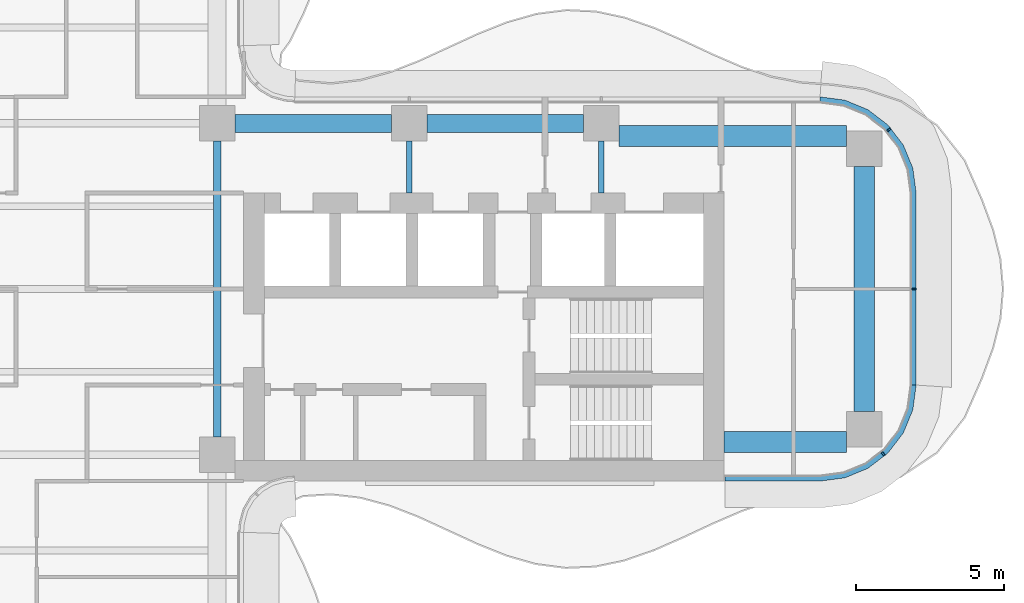
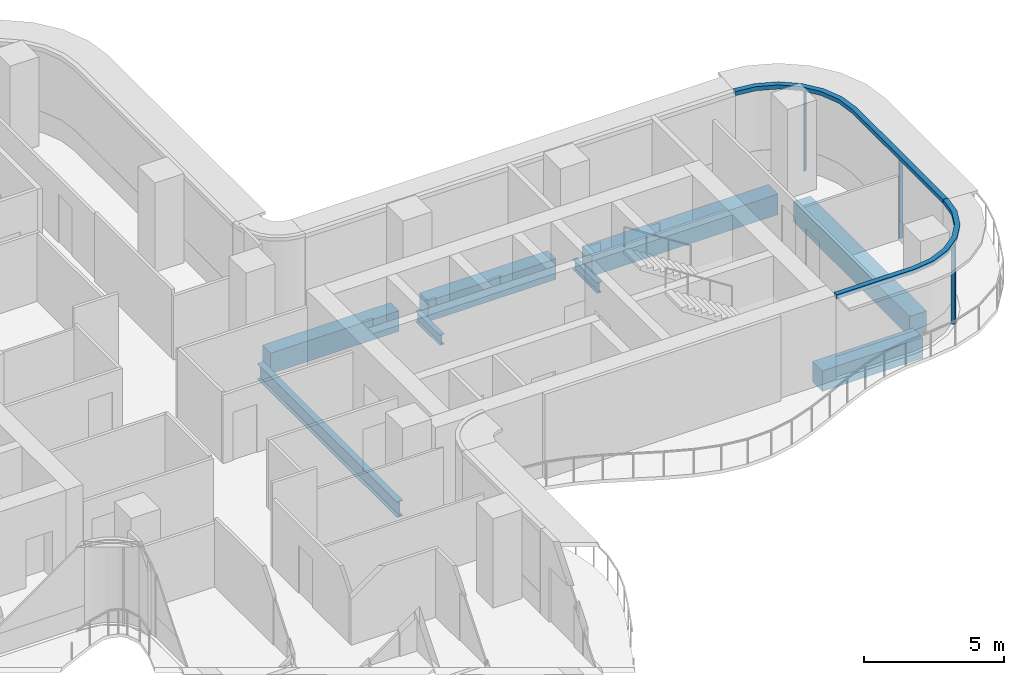
# One storey, part 6 of 17: 8 beams, 5 members, 2 elements without a shape of their own.
"""IFC4 building model written with IfcOpenShell, lengths in metres."""

import ifcopenshell
import ifcopenshell.guid

model = None  # the IFC model being written
_history = None  # IfcOwnerHistory: only IFC2X3 demands one
_inside = {}  # id of a spatial element -> (the spatial element, [elements in it])
_under = {}  # id of a project, library or spatial element -> (it, [spatial elements below it])
_declared = {}  # id of a project -> (the project, [libraries it declares])
_typed = {}  # id of a type object -> (the type object, [elements of that type])
_made_of = {}  # id of a material, layer set ... -> (it, [elements and type objects made of it])


def new_model(schema):
    """Start an empty IFC model of exactly this schema.

    Asked for "IFC4X3", IfcOpenShell would pick the latest addendum, in which some entities
    have other attributes; the version numbers below select the first issue.
    IFC2X3 requires an IfcOwnerHistory on every rooted entity: one is made here for all.
    """
    global model, _history
    if schema == "IFC4X3":
        model = ifcopenshell.file(schema_version=(4, 3, 0, 0))
    else:
        model = ifcopenshell.file(schema=schema)
    _inside.clear()
    _under.clear()
    _declared.clear()
    _typed.clear()
    _made_of.clear()
    _history = None
    if model.schema == "IFC2X3":
        org = make("IfcOrganization", Name="unknown")
        user = make(
            "IfcPersonAndOrganization",
            ThePerson=make("IfcPerson", FamilyName="unknown"),
            TheOrganization=org,
        )
        app = make(
            "IfcApplication",
            ApplicationDeveloper=org,
            Version="unknown",
            ApplicationFullName="unknown",
            ApplicationIdentifier="unknown",
        )
        _history = make(
            "IfcOwnerHistory",
            OwningUser=user,
            OwningApplication=app,
            ChangeAction="ADDED",
            CreationDate=0,
        )
    return model


def make(cls, **values):
    """One entity of the class cls with the attributes given. An attribute that is None is left unset."""
    return model.create_entity(
        cls, **{name: value for name, value in values.items() if value is not None}
    )


def rooted(cls, **values):
    """An entity with a GlobalId (a new one), such as an element, a storey or a relation."""
    return make(cls, GlobalId=ifcopenshell.guid.new(), OwnerHistory=_history, **values)


def si_unit(unit_type, name, prefix=None):
    """IfcSIUnit, for example si_unit("LENGTHUNIT", "METRE", prefix="MILLI")."""
    return make("IfcSIUnit", UnitType=unit_type, Prefix=prefix, Name=name)


def assignment(units):
    """IfcUnitAssignment: the units of a project."""
    return None if units is None else make("IfcUnitAssignment", Units=units)


def point(xyz):
    """IfcCartesianPoint."""
    return None if xyz is None else make("IfcCartesianPoint", Coordinates=xyz)


def direction(xyz):
    """IfcDirection."""
    return None if xyz is None else make("IfcDirection", DirectionRatios=xyz)


def frame(location, z_axis=None, x_axis=None):
    """IfcAxis2Placement3D, a coordinate frame: its origin and axes. An axis left out is left unset."""
    return make(
        "IfcAxis2Placement3D",
        Location=point(location),
        Axis=direction(z_axis),
        RefDirection=direction(x_axis),
    )


def frame_2d(location, x_axis=None):
    """IfcAxis2Placement2D, a coordinate frame in the plane: its origin and x axis."""
    return make(
        "IfcAxis2Placement2D", Location=point(location), RefDirection=direction(x_axis)
    )


def origin():
    """The frame at (0, 0, 0) with its axes left unset."""
    return frame((0.0, 0.0, 0.0))


def origin_2d():
    """The frame at (0, 0) in the plane with its x axis left unset."""
    return frame_2d((0.0, 0.0))


def place(relative_to, where):
    """IfcLocalPlacement: puts the frame where relative to a parent placement (None: the world)."""
    return make(
        "IfcLocalPlacement", PlacementRelTo=relative_to, RelativePlacement=where
    )


def context(
    kind, dimensions, precision=None, world=None, true_north=None, identifier=None
):
    """IfcGeometricRepresentationContext, for example the 3D "Model" context."""
    return make(
        "IfcGeometricRepresentationContext",
        ContextIdentifier=identifier,
        ContextType=kind,
        CoordinateSpaceDimension=dimensions,
        Precision=precision,
        WorldCoordinateSystem=world,
        TrueNorth=true_north,
    )


def subcontext(parent, identifier, kind, view, scale=None):
    """IfcGeometricRepresentationSubContext, for example "Body" below "Model"."""
    return make(
        "IfcGeometricRepresentationSubContext",
        ContextIdentifier=identifier,
        ContextType=kind,
        ParentContext=parent,
        TargetScale=scale,
        TargetView=view,
    )


def project(units=None, contexts=None):
    """IfcProject with its units and contexts."""
    return rooted(
        "IfcProject",
        Name="project",
        RepresentationContexts=contexts,
        UnitsInContext=assignment(units),
    )


def spatial(cls, under=None, at=None, **own):
    """A site, building, storey or space (cls), placed at a placement, below another one or the project."""
    s = rooted(cls, ObjectPlacement=at, **own)
    if under is not None:
        _under.setdefault(under.id(), (under, []))[1].append(s)
    return s


def polyline(points):
    """IfcPolyline through the points."""
    return make("IfcPolyline", Points=[point(p) for p in points])


def profile(cls, at=None, kind="AREA", **sizes):
    """A parametric profile (cls). Its sizes go by their IFC names, for example OverallWidth=200.0."""
    return make(cls, ProfileType=kind, Position=at, **sizes)


def rectangle(**sizes):
    """IfcRectangleProfileDef."""
    return profile("IfcRectangleProfileDef", **sizes)


def i_section(**sizes):
    """IfcIShapeProfileDef."""
    return profile("IfcIShapeProfileDef", **sizes)


def outline(outer, holes=None, kind="AREA"):
    """IfcArbitraryClosedProfileDef: a profile drawn as a closed curve; with holes, ...WithVoids."""
    if holes is None:
        return make("IfcArbitraryClosedProfileDef", ProfileType=kind, OuterCurve=outer)
    return make(
        "IfcArbitraryProfileDefWithVoids",
        ProfileType=kind,
        OuterCurve=outer,
        InnerCurves=holes,
    )


def extrude(swept, where, along, depth):
    """IfcExtrudedAreaSolid: the profile swept, set in the frame where, extruded along a direction by depth."""
    return make(
        "IfcExtrudedAreaSolid",
        SweptArea=swept,
        Position=where,
        ExtrudedDirection=direction(along),
        Depth=depth,
    )


def shape(context_of_items, identifier, shape_type, items):
    """IfcShapeRepresentation: the items that make up one representation, for example the "Body"."""
    return make(
        "IfcShapeRepresentation",
        ContextOfItems=context_of_items,
        RepresentationIdentifier=identifier,
        RepresentationType=shape_type,
        Items=items,
    )


def source(mapping_origin, context_of_items, identifier, shape_type, items):
    """IfcRepresentationMap: a shape defined once, which mapped items show again and again."""
    return make(
        "IfcRepresentationMap",
        MappingOrigin=mapping_origin,
        MappedRepresentation=shape(context_of_items, identifier, shape_type, items),
    )


def transform(
    local_origin,
    x_axis=None,
    y_axis=None,
    z_axis=None,
    scale=None,
    scale2=None,
    scale3=None,
    uniform=True,
):
    """IfcCartesianTransformationOperator3D, or its non-uniform kind. x_axis, y_axis, z_axis: its Axis1, 2, 3."""
    if uniform:
        return make(
            "IfcCartesianTransformationOperator3D",
            Axis1=direction(x_axis),
            Axis2=direction(y_axis),
            LocalOrigin=point(local_origin),
            Scale=scale,
            Axis3=direction(z_axis),
        )
    return make(
        "IfcCartesianTransformationOperator3DnonUniform",
        Axis1=direction(x_axis),
        Axis2=direction(y_axis),
        LocalOrigin=point(local_origin),
        Scale=scale,
        Axis3=direction(z_axis),
        Scale2=scale2,
        Scale3=scale3,
    )


def mapped(mapping_source, mapping_target):
    """IfcMappedItem: shows the shape of a source again, moved by a transform."""
    return make(
        "IfcMappedItem", MappingSource=mapping_source, MappingTarget=mapping_target
    )


def material(Name=None, Category=None):
    """IfcMaterial."""
    return make("IfcMaterial", Name=Name, Category=Category)


def layer(
    of_material, thickness, ventilated=None, Name=None, Category=None, Priority=None
):
    """IfcMaterialLayer: one layer of a wall or slab, of a material (None: an air gap)."""
    return make(
        "IfcMaterialLayer",
        Material=of_material,
        LayerThickness=thickness,
        IsVentilated=ventilated,
        Name=Name,
        Category=Category,
        Priority=Priority,
    )


def layer_set(layers, Name=None):
    """IfcMaterialLayerSet."""
    return make("IfcMaterialLayerSet", MaterialLayers=layers, LayerSetName=Name)


def material_profile(
    of_material, cross_section, Name=None, Category=None, Priority=None
):
    """IfcMaterialProfile: a cross section and its material."""
    return make(
        "IfcMaterialProfile",
        Name=Name,
        Material=of_material,
        Profile=cross_section,
        Priority=Priority,
        Category=Category,
    )


def profile_set(profiles, Name=None, composite=None):
    """IfcMaterialProfileSet."""
    return make(
        "IfcMaterialProfileSet",
        Name=Name,
        MaterialProfiles=profiles,
        CompositeProfile=composite,
    )


def made_of(thing, what):
    """Note that an element or type object is made of a material, layer set ...; save() writes the relation."""
    if what is not None:
        _made_of.setdefault(what.id(), (what, []))[1].append(thing)
    return thing


def type_object(cls, material=None, **own):
    """A type object (cls), such as IfcWallType, which elements share."""
    return made_of(rooted(cls, **own), material)


def element(
    cls,
    number,
    at=None,
    inside=None,
    cuts=None,
    type_object=None,
    material=None,
    context=None,
    identifier="Body",
    shape_type=None,
    held_by="IfcProductDefinitionShape",
    body=None,
    shapes=None,
    **own,
):
    """One element of the class cls, such as IfcWall. Its Tag is "e" and its number.

    at: its placement. inside: the storey or other place that contains it. cuts: it is an
    opening in that element (IfcRelVoidsElement). A single representation is given by context,
    identifier, shape_type and body (its items); several are given by shapes. held_by: the class
    of the entity that holds the representations. save() writes the other relations.
    """
    e = rooted(cls, Tag="e%d" % number, ObjectPlacement=at, **own)
    if body is not None:
        shapes = [shape(context, identifier, shape_type, body)]
    if shapes is not None:
        e.Representation = make(held_by, Representations=shapes)
    if inside is not None:
        _inside.setdefault(inside.id(), (inside, []))[1].append(e)
    if cuts is not None:
        rooted(
            "IfcRelVoidsElement", RelatingBuildingElement=cuts, RelatedOpeningElement=e
        )
    if type_object is not None:
        _typed.setdefault(type_object.id(), (type_object, []))[1].append(e)
    return made_of(e, material)


def aggregate(whole, parts):
    """IfcRelAggregates: a whole, such as a stair, and the parts it consists of."""
    return rooted("IfcRelAggregates", RelatingObject=whole, RelatedObjects=parts)


def save(model, path):
    """Write the relations noted so far, then the file.

    IfcRelAggregates (storeys below a building ...), IfcRelContainedInSpatialStructure (elements
    in a storey), IfcRelDefinesByType, IfcRelAssociatesMaterial and IfcRelDeclares: one each for
    every whole, place, type object, material and project.
    """
    for whole, parts in _under.values():
        aggregate(whole, parts)
    for where, things in _inside.values():
        rooted(
            "IfcRelContainedInSpatialStructure",
            RelatedElements=things,
            RelatingStructure=where,
        )
    for kind, things in _typed.values():
        rooted("IfcRelDefinesByType", RelatedObjects=things, RelatingType=kind)
    for what, things in _made_of.values():
        rooted("IfcRelAssociatesMaterial", RelatedObjects=things, RelatingMaterial=what)
    for by, libraries in _declared.values():
        rooted("IfcRelDeclares", RelatingContext=by, RelatedDefinitions=libraries)
    model.write(path)


model = new_model("IFC4")

# Units and contexts
model_context = context("Model", 3, precision=1e-05, world=origin(), true_north=direction((0.0, 1.0)))
body_context = subcontext(model_context, "Body", "Model", "MODEL_VIEW")
ifc_project = project(units=[si_unit("LENGTHUNIT", "METRE"), si_unit("AREAUNIT", "SQUARE_METRE"), si_unit("VOLUMEUNIT", "CUBIC_METRE"), si_unit("PLANEANGLEUNIT", "RADIAN"), si_unit("MASSUNIT", "GRAM", prefix="KILO")], contexts=[model_context])

# Site, building, storey
site_placement = place(None, origin())
site = spatial("IfcSite", under=ifc_project, at=site_placement, CompositionType="ELEMENT")
building_placement = place(site_placement, origin())
building = spatial("IfcBuilding", under=site, at=building_placement, Name="Trellis Farm Tower", CompositionType="ELEMENT")
storey_placement = place(building_placement, frame((0.0, 0.0, 185.39990234375)))
storey = spatial("IfcBuildingStorey", under=building, at=storey_placement, Name="L40", CompositionType="ELEMENT", Elevation=185.39990234375)

# Beams
ifc_material_1 = material(Name="Concrete C60/75", Category="concrete")
ifc_material_profile_1 = material_profile(ifc_material_1, rectangle(XDim=0.60009765625, YDim=0.89990234375, at=origin_2d()), Name="RC spandrel beam 600x900 C60/75")
ifc_profile_set_1 = profile_set([ifc_material_profile_1], Name="Concrete C60/75")
beam_type_1 = type_object("IfcBeamType", Name="RC spandrel beam 600x900 C60/75", PredefinedType="SPANDREL", material=ifc_profile_set_1)
shared_shape_1 = source(origin(), body_context, "Body", "SweptSolid", [
    extrude(rectangle(XDim=0.60009765625, YDim=0.89990234375, at=origin_2d()), origin(), (0.0, 0.0, 1.0), 5.300048828125),
])
for number, where, z_axis, x_axis, name in (
    (1, (6.199951171875, 5.60009765625, -0.64990234375), (1.0, 0.0, 0.0), (0.0, 1.0, 0.0), "Girder"),
    (2, (12.699951171875, 5.60009765625, -0.64990234375), (1.0, 0.0, 0.0), (0.0, 1.0, 0.0), "Girder"),
):
    element("IfcBeam", number, at=place(storey_placement, frame(where, z_axis=z_axis, x_axis=x_axis)), inside=storey, type_object=beam_type_1, Name=name, PredefinedType="SPANDREL", context=body_context, shape_type="MappedRepresentation", body=[
        mapped(shared_shape_1, transform((0.0, 0.0, 0.0))),
    ])
ifc_material_2 = material(Name="Steel S355", Category="steel")
ifc_material_profile_2 = material_profile(ifc_material_2, i_section(OverallWidth=0.253662109375, OverallDepth=0.68359375, WebThickness=0.012451171875, FlangeThickness=0.021728515625, FilletRadius=0.01513671875, at=origin_2d()), Name="UB 686x254x140")
ifc_profile_set_2 = profile_set([ifc_material_profile_2], Name="Steel S355")
beam_type_2 = type_object("IfcBeamType", Name="UB 686x254x140", PredefinedType="BEAM", material=ifc_profile_set_2)
shared_shape_2 = source(origin(), body_context, "Body", "SweptSolid", [
    extrude(i_section(OverallWidth=0.253662109375, OverallDepth=0.68359375, WebThickness=0.012451171875, FlangeThickness=0.021728515625, FilletRadius=0.01513671875, at=origin_2d()), origin(), (0.0, 0.0, 1.0), 10.0),
])
beam_1_placement = place(storey_placement, frame((5.60009765625, -5.0, -0.54150390625), z_axis=(0.0, 1.0, 0.0), x_axis=(-1.0, 0.0, 0.0)))
element("IfcBeam", 3, at=beam_1_placement, inside=storey, type_object=beam_type_2, Name="Girder", PredefinedType="BEAM", context=body_context, shape_type="MappedRepresentation", body=[
    mapped(shared_shape_2, transform((0.0, 0.0, 0.0))),
])
ifc_material_profile_3 = material_profile(ifc_material_1, rectangle(XDim=0.699951171875, YDim=0.89990234375, at=origin_2d()), Name="RC spandrel beam 700x900 C60/75")
ifc_profile_set_3 = profile_set([ifc_material_profile_3], Name="Concrete C60/75")
beam_type_3 = type_object("IfcBeamType", Name="RC spandrel beam 700x900 C60/75", PredefinedType="SPANDREL", material=ifc_profile_set_3)
shared_shape_3 = source(origin(), body_context, "Body", "SweptSolid", [
    extrude(rectangle(XDim=0.699951171875, YDim=0.89990234375, at=origin_2d()), origin(), (0.0, 0.0, 1.0), 8.2998046875),
])
beam_2_placement = place(storey_placement, frame((27.5, -4.14990234375, -0.64990234375), z_axis=(0.0, 1.0, 0.0), x_axis=(-1.0, 0.0, 0.0)))
element("IfcBeam", 4, at=beam_2_placement, inside=storey, type_object=beam_type_3, Name="Girder", PredefinedType="SPANDREL", context=body_context, shape_type="MappedRepresentation", body=[
    mapped(shared_shape_3, transform((0.0, 0.0, 0.0))),
])
ifc_material_profile_4 = material_profile(ifc_material_2, i_section(OverallWidth=0.1904296875, OverallDepth=0.45703125, WebThickness=0.009033203125, FlangeThickness=0.014404296875, FilletRadius=0.01025390625, at=origin_2d()), Name="UB 457x191x74")
ifc_profile_set_4 = profile_set([ifc_material_profile_4], Name="Steel S355")
beam_type_4 = type_object("IfcBeamType", Name="UB 457x191x74", PredefinedType="BEAM", material=ifc_profile_set_4)
shared_shape_4 = source(origin(), body_context, "Body", "SweptSolid", [
    extrude(i_section(OverallWidth=0.1904296875, OverallDepth=0.45703125, WebThickness=0.009033203125, FlangeThickness=0.014404296875, FilletRadius=0.01025390625, at=origin_2d()), origin(), (0.0, 0.0, 1.0), 1.75),
])
for number, where, z_axis, x_axis, name in (
    (5, (12.10009765625, 3.25, -0.428466796875), (0.0, 1.0, 0.0), (-1.0, 0.0, 0.0), "Girder"),
    (6, (18.60009765625, 3.25, -0.428466796875), (0.0, 1.0, 0.0), (-1.0, 0.0, 0.0), "Girder"),
):
    element("IfcBeam", number, at=place(storey_placement, frame(where, z_axis=z_axis, x_axis=x_axis)), inside=storey, type_object=beam_type_4, Name=name, PredefinedType="BEAM", context=body_context, shape_type="MappedRepresentation", body=[
        mapped(shared_shape_4, transform((0.0, 0.0, 0.0))),
    ])
shared_shape_5 = source(origin(), body_context, "Body", "SweptSolid", [
    extrude(rectangle(XDim=0.699951171875, YDim=0.89990234375, at=origin_2d()), origin(), (0.0, 0.0, 1.0), 7.699951171875),
])
beam_3_placement = place(storey_placement, frame((19.199951171875, 5.175048828125, -0.64990234375), z_axis=(1.0, 0.0, 0.0), x_axis=(0.0, 1.0, 0.0)))
element("IfcBeam", 7, at=beam_3_placement, inside=storey, type_object=beam_type_3, Name="Girder", PredefinedType="SPANDREL", context=body_context, shape_type="MappedRepresentation", body=[
    mapped(shared_shape_5, transform((0.0, 0.0, 0.0))),
])
shared_shape_6 = source(origin(), body_context, "Body", "SweptSolid", [
    extrude(rectangle(XDim=0.699951171875, YDim=0.89990234375, at=origin_2d()), origin(), (0.0, 0.0, 1.0), 4.14990234375),
])
beam_4_placement = place(storey_placement, frame((22.75, -5.175048828125, -0.64990234375), z_axis=(1.0, 0.0, 0.0), x_axis=(0.0, 1.0, 0.0)))
element("IfcBeam", 8, at=beam_4_placement, inside=storey, type_object=beam_type_3, Name="Girder", PredefinedType="SPANDREL", context=body_context, shape_type="MappedRepresentation", body=[
    mapped(shared_shape_6, transform((0.0, 0.0, 0.0))),
])

# Curtain wall, member
ifc_material_3 = material(Name="Aluminium and glass curtain wall", Category="aluminium")
ifc_layer_1 = layer(ifc_material_3, 0.18994140625)
ifc_layer_set_1 = layer_set([ifc_layer_1], Name="RIBBON CURTAIN WALL CW1")
curtain_wall_type = type_object("IfcCurtainWallType", Name="RIBBON CURTAIN WALL CW1", PredefinedType="NOTDEFINED", material=ifc_layer_set_1)
placement_1 = place(storey_placement, origin())
curtain_wall_1 = element("IfcCurtainWall", 9, at=placement_1, inside=storey, type_object=curtain_wall_type, Name="CW1 006", PredefinedType="NOTDEFINED")
ifc_material_4 = material(Name="Aluminium extrusion 6063-T6", Category="aluminium")
ifc_material_profile_5 = material_profile(ifc_material_4, rectangle(XDim=0.06005859375, YDim=0.14990234375, at=origin_2d()), Name="MULLION 60x150")
ifc_profile_set_5 = profile_set([ifc_material_profile_5], Name="Aluminium extrusion 6063-T6")
member_type_1 = type_object("IfcMemberType", Name="CW1 MULLION 60x150", PredefinedType="MULLION", material=ifc_profile_set_5)
shared_shape_7 = source(origin(), body_context, "Body", "SweptSolid", [
    extrude(rectangle(XDim=0.06005859375, YDim=0.14990234375, at=origin_2d()), origin(), (0.0, 0.0, 1.0), 3.52001953125),
])
member_1_placement = place(storey_placement, frame((28.135498046875, -5.578369140625, 0.0), z_axis=(0.0, 0.0, 1.0), x_axis=(0.793353340291, 0.608761429009, 0.0)))
member_1 = element("IfcMember", 10, at=member_1_placement, type_object=member_type_1, Name="MU1 006-01", PredefinedType="MULLION", context=body_context, shape_type="MappedRepresentation", body=[
    mapped(shared_shape_7, transform((0.0, 0.0, 0.0))),
])

# Curtain wall, members
curtain_wall_2 = element("IfcCurtainWall", 11, at=placement_1, inside=storey, type_object=curtain_wall_type, Name="CW1 007", PredefinedType="NOTDEFINED")
member_2_placement = place(storey_placement, frame((29.175048828125, 0.0, 0.0), z_axis=(0.0, 0.0, 1.0), x_axis=(0.0, 1.0, 0.0)))
member_2 = element("IfcMember", 12, at=member_2_placement, type_object=member_type_1, Name="MU1 007-01", PredefinedType="MULLION", context=body_context, shape_type="MappedRepresentation", body=[
    mapped(shared_shape_7, transform((0.0, 0.0, 0.0))),
])
member_3_placement = place(storey_placement, frame((28.328369140625, 5.385498046875, 0.0), z_axis=(0.0, 0.0, 1.0), x_axis=(-0.608761429009, 0.793353340291, 0.0)))
member_3 = element("IfcMember", 13, at=member_3_placement, type_object=member_type_1, Name="MU1 007-02", PredefinedType="MULLION", context=body_context, shape_type="MappedRepresentation", body=[
    mapped(shared_shape_7, transform((0.0, 0.0, 0.0))),
])

# Member
ifc_layer_2 = layer(ifc_material_4, 0.199951171875)
ifc_layer_set_2 = layer_set([ifc_layer_2], Name="Aluminium extrusion 6063-T6")
member_type_2 = type_object("IfcMemberType", Name="CW1 TRANSOM 200x180", PredefinedType="USERDEFINED", material=ifc_layer_set_2)
shared_shape_8 = source(origin(), body_context, "Body", "SweptSolid", [
    extrude(outline(polyline([(22.780029296875, -6.5), (26.0, -6.5), (26.841064453125, -6.38916015625), (27.625, -6.064697265625), (28.298095703125, -5.548095703125), (28.814697265625, -4.875), (29.13916015625, -4.091064453125), (29.25, -3.25), (29.050048828125, -3.23681640625), (28.9443359375, -4.0390625), (28.639892578125, -4.774169921875), (28.155517578125, -5.405517578125), (27.524169921875, -5.889892578125), (26.7890625, -6.1943359375), (25.98681640625, -6.300048828125), (22.780029296875, -6.300048828125), (22.780029296875, -6.5)])), origin(), (0.0, 0.0, 1.0), 0.18017578125),
])
placement_2 = place(storey_placement, frame((0.0, 0.0, 3.52001953125)))
member_4 = element("IfcMember", 14, at=placement_2, type_object=member_type_2, Name="TR1 006", ObjectType="TRANSOM", PredefinedType="USERDEFINED", context=body_context, shape_type="MappedRepresentation", body=[
    mapped(shared_shape_8, transform((0.0, 0.0, 0.0))),
])

aggregate(curtain_wall_1, [member_1, member_4])

shared_shape_9 = source(origin(), body_context, "Body", "SweptSolid", [
    extrude(outline(polyline([(29.25, -3.25), (29.25, 3.25), (29.13916015625, 4.091064453125), (28.814697265625, 4.875), (28.298095703125, 5.548095703125), (27.625, 6.064697265625), (26.841064453125, 6.38916015625), (26.0, 6.5), (25.98681640625, 6.300048828125), (26.7890625, 6.1943359375), (27.524169921875, 5.889892578125), (28.155517578125, 5.405517578125), (28.639892578125, 4.774169921875), (28.9443359375, 4.0390625), (29.050048828125, 3.23681640625), (29.050048828125, -3.23681640625), (29.25, -3.25)])), origin(), (0.0, 0.0, 1.0), 0.18017578125),
])
member_5 = element("IfcMember", 15, at=placement_2, type_object=member_type_2, Name="TR1 007", ObjectType="TRANSOM", PredefinedType="USERDEFINED", context=body_context, shape_type="MappedRepresentation", body=[
    mapped(shared_shape_9, transform((0.0, 0.0, 0.0))),
])

aggregate(curtain_wall_2, [member_2, member_3, member_5])

save(model, "model.ifc")
